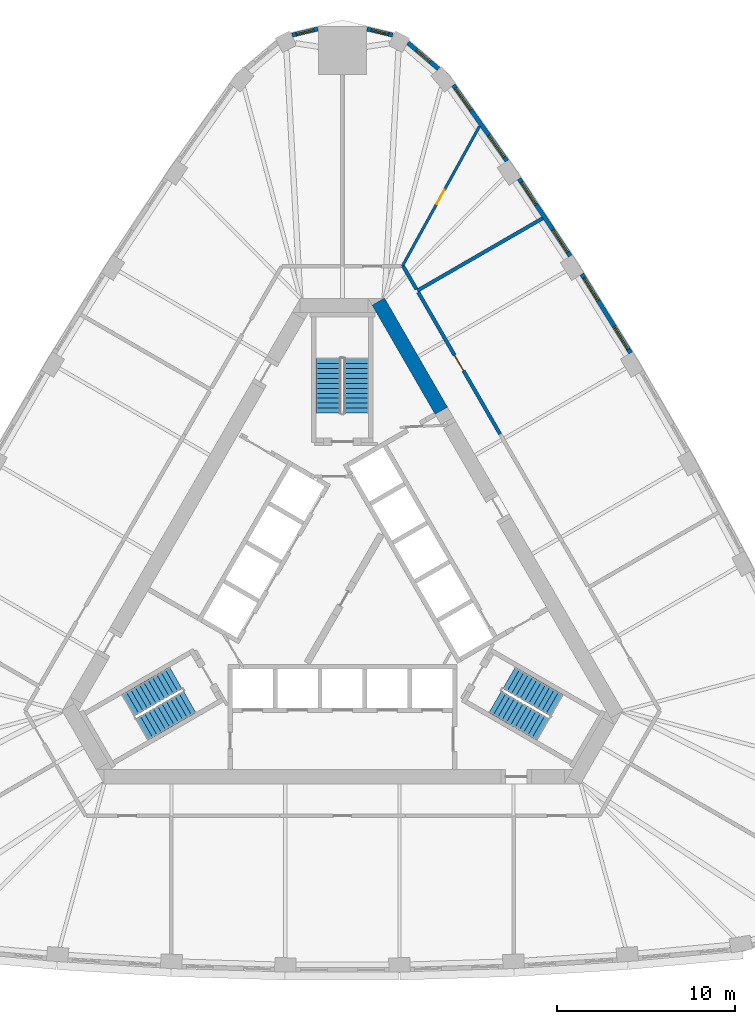
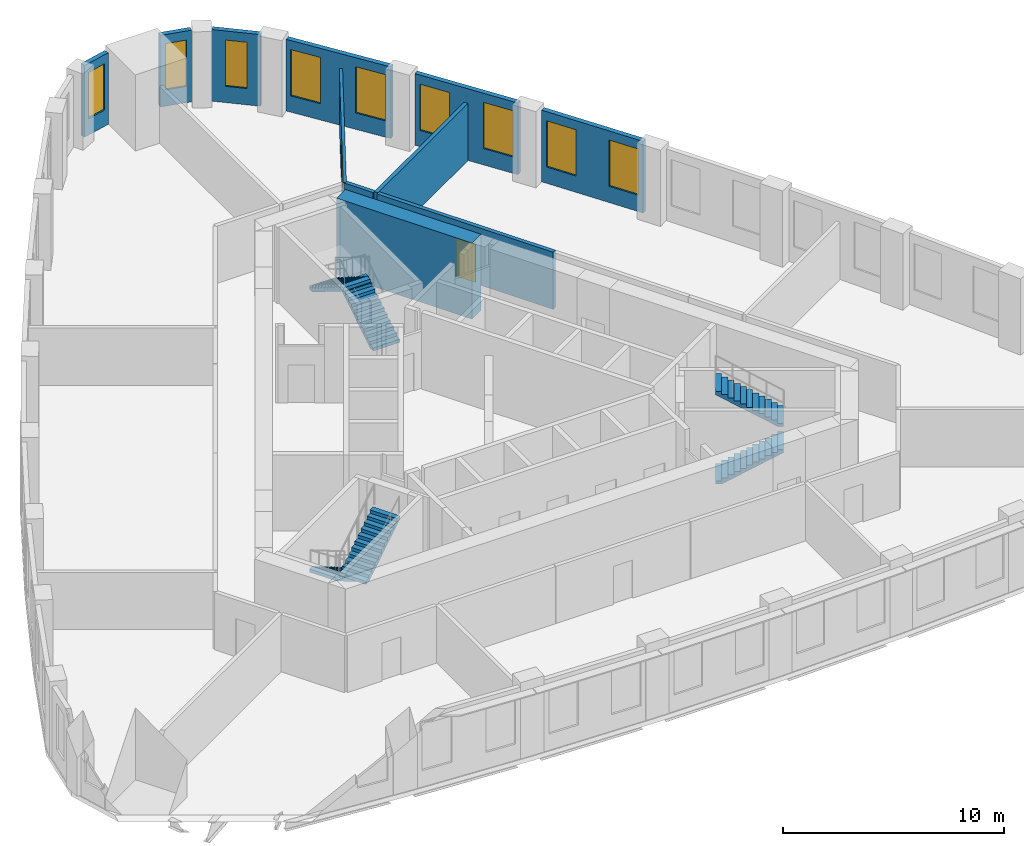
# One storey, part 8 of 9: 11 walls, 9 windows, 6 stair flights, 2 doors, 11 openings, 3 elements without a shape of their own.
"""IFC4 building model written with IfcOpenShell, lengths in metres."""

from ifc_helpers import new_model, si_unit, direction, frame, frame_2d, origin, place, context, subcontext, project, spatial, polyline, rectangle, outline, extrude, material, layer, layer_set, type_object, element, fill, aggregate, save


model = new_model("IFC4")

# Units and contexts
model_context = context("Model", 3, precision=1e-05, world=origin(), true_north=direction((0.0, 1.0)))
body_context = subcontext(model_context, "Body", "Model", "MODEL_VIEW")
ifc_project = project(units=[si_unit("LENGTHUNIT", "METRE"), si_unit("AREAUNIT", "SQUARE_METRE"), si_unit("VOLUMEUNIT", "CUBIC_METRE"), si_unit("PLANEANGLEUNIT", "RADIAN"), si_unit("MASSUNIT", "GRAM", prefix="KILO")], contexts=[model_context])

# Site, building, storey
site_placement = place(None, origin())
site = spatial("IfcSite", under=ifc_project, at=site_placement, CompositionType="ELEMENT")
building_placement = place(site_placement, origin())
building = spatial("IfcBuilding", under=site, at=building_placement, Name="Mestral Congress Tower", CompositionType="ELEMENT")
storey_placement = place(building_placement, frame((0.0, 0.0, 187.800048828125)))
storey = spatial("IfcBuildingStorey", under=building, at=storey_placement, Name="L44", CompositionType="ELEMENT", Elevation=187.800048828125)

# Wall
ifc_material_1 = material(Name="Concrete C60/75", Category="concrete")
ifc_layer_1 = layer(ifc_material_1, 0.800048828125)
ifc_layer_set_1 = layer_set([ifc_layer_1], Name="Concrete C60/75")
wall_type_1 = type_object("IfcWallType", Name="Core wall RC 800", PredefinedType="SOLIDWALL", material=ifc_layer_set_1)
wall_1_placement = place(storey_placement, frame((5.548828125, 10.4892578125, 0.0), z_axis=(0.0, 0.0, 1.0), x_axis=(-0.50001746176, 0.866015321998, 0.0)))
element("IfcWall", 1, at=wall_1_placement, inside=storey, type_object=wall_type_1, Name="L44 core wall", PredefinedType="SOLIDWALL", context=body_context, shape_type="SweptSolid", body=[
    extrude(rectangle(XDim=7.068115234375, YDim=0.800048828125, at=frame_2d((3.5341796875, 0.0))), origin(), (0.0, 0.0, 1.0), 4.199951171875),
])

# Wall, openings, windows
ifc_material_2 = material(Name="Precast concrete C40/50 with limestone facing", Category="masonry")
ifc_layer_2 = layer(ifc_material_2, 0.239990234375)
ifc_layer_set_2 = layer_set([ifc_layer_2], Name="Precast concrete C40/50 with limestone facing")
wall_type_2 = type_object("IfcWallType", Name="Facade stone wall 240", PredefinedType="SOLIDWALL", material=ifc_layer_set_2)
wall_2_placement = place(storey_placement, frame((16.170654296875, 13.731201171875, 0.0), z_axis=(0.0, 0.0, 1.0), x_axis=(-0.526197926587, 0.850362124072, 0.0)))
wall_2 = element("IfcWall", 2, at=wall_2_placement, inside=storey, type_object=wall_type_2, Name="Facade wall F1-04", PredefinedType="SOLIDWALL", context=body_context, shape_type="SweptSolid", body=[
    extrude(rectangle(XDim=5.203369140625, YDim=0.239990234375, at=frame_2d((2.6015625, 0.0))), origin(), (0.0, 0.0, 1.0), 3.949951171875),
])
opening_1_placement = place(wall_2_placement, frame((0.248291015625, 0.0, 0.89990234375)))
opening_1 = element("IfcOpeningElement", 3, at=opening_1_placement, cuts=wall_2, Name="Opening W4", PredefinedType="OPENING", context=body_context, shape_type="SweptSolid", body=[
    extrude(rectangle(XDim=1.5, YDim=2.550048828125, at=frame_2d((0.75, 1.27490234375))), frame((0.0, 0.1298828125, 0.0), z_axis=(0.0, -1.0, 0.0), x_axis=(1.0, 0.0, 0.0)), (0.0, 0.0, 1.0), 0.260009765625),
])
opening_2_placement = place(wall_2_placement, frame((3.455078125, 0.0, 0.89990234375)))
opening_2 = element("IfcOpeningElement", 4, at=opening_2_placement, cuts=wall_2, Name="Opening W4", PredefinedType="OPENING", context=body_context, shape_type="SweptSolid", body=[
    extrude(rectangle(XDim=1.5, YDim=2.550048828125, at=frame_2d((0.75, 1.27490234375))), frame((0.0, 0.1298828125, 0.0), z_axis=(0.0, -1.0, 0.0), x_axis=(1.0, 0.0, 0.0)), (0.0, 0.0, 1.0), 0.260009765625),
])
ifc_material_3 = material(Name="Clear low-emissivity double glazing", Category="glass")
window_type_1 = type_object("IfcWindowType", Name="Facade punched window 1500 x 2550 sill 900", PartitioningType="SINGLE_PANEL", PredefinedType="WINDOW", material=ifc_material_3)
window_1_placement = place(opening_1_placement, origin())
window_1 = element("IfcWindow", 5, at=window_1_placement, inside=storey, type_object=window_type_1, Name="Window F1-04a", OverallHeight=2.550048828125, OverallWidth=1.5, PartitioningType="SINGLE_PANEL", PredefinedType="WINDOW", context=body_context, shape_type="SweptSolid", body=[
    extrude(rectangle(XDim=1.5, YDim=2.550048828125, at=frame_2d((0.75, 1.27490234375))), frame((0.0, 0.0400390625, 0.0), z_axis=(0.0, -1.0, 0.0), x_axis=(1.0, 0.0, 0.0)), (0.0, 0.0, 1.0), 0.06005859375),
])
fill(opening_1, window_1)
window_2_placement = place(opening_2_placement, origin())
window_2 = element("IfcWindow", 6, at=window_2_placement, inside=storey, type_object=window_type_1, Name="Window F1-04b", OverallHeight=2.550048828125, OverallWidth=1.5, PartitioningType="SINGLE_PANEL", PredefinedType="WINDOW", context=body_context, shape_type="SweptSolid", body=[
    extrude(rectangle(XDim=1.5, YDim=2.550048828125, at=frame_2d((0.75, 1.27490234375))), frame((0.0, 0.0400390625, 0.0), z_axis=(0.0, -1.0, 0.0), x_axis=(1.0, 0.0, 0.0)), (0.0, 0.0, 1.0), 0.06005859375),
])
fill(opening_2, window_2)

wall_3_placement = place(storey_placement, frame((12.783203125, 19.170654296875, 0.0), z_axis=(0.0, 0.0, 1.0), x_axis=(-0.551892811511, 0.833915058386, 0.0)))
wall_3 = element("IfcWall", 7, at=wall_3_placement, inside=storey, type_object=wall_type_2, Name="Facade wall F1-05", PredefinedType="SOLIDWALL", context=body_context, shape_type="SweptSolid", body=[
    extrude(rectangle(XDim=5.20361328125, YDim=0.239990234375, at=frame_2d((2.601806640625, 0.0))), origin(), (0.0, 0.0, 1.0), 3.949951171875),
])
opening_3_placement = place(wall_3_placement, frame((0.248291015625, 0.0, 0.89990234375)))
opening_3 = element("IfcOpeningElement", 8, at=opening_3_placement, cuts=wall_3, Name="Opening W4", PredefinedType="OPENING", context=body_context, shape_type="SweptSolid", body=[
    extrude(rectangle(XDim=1.5, YDim=2.550048828125, at=frame_2d((0.75, 1.27490234375))), frame((0.0, 0.1298828125, 0.0), z_axis=(0.0, -1.0, 0.0), x_axis=(1.0, 0.0, 0.0)), (0.0, 0.0, 1.0), 0.260009765625),
])
opening_4_placement = place(wall_3_placement, frame((3.455078125, 0.0, 0.89990234375)))
opening_4 = element("IfcOpeningElement", 9, at=opening_4_placement, cuts=wall_3, Name="Opening W4", PredefinedType="OPENING", context=body_context, shape_type="SweptSolid", body=[
    extrude(rectangle(XDim=1.5, YDim=2.550048828125, at=frame_2d((0.75, 1.27490234375))), frame((0.0, 0.1298828125, 0.0), z_axis=(0.0, -1.0, 0.0), x_axis=(1.0, 0.0, 0.0)), (0.0, 0.0, 1.0), 0.260009765625),
])
window_3_placement = place(opening_3_placement, origin())
window_3 = element("IfcWindow", 10, at=window_3_placement, inside=storey, type_object=window_type_1, Name="Window F1-05a", OverallHeight=2.550048828125, OverallWidth=1.5, PartitioningType="SINGLE_PANEL", PredefinedType="WINDOW", context=body_context, shape_type="SweptSolid", body=[
    extrude(rectangle(XDim=1.5, YDim=2.550048828125, at=frame_2d((0.75, 1.27490234375))), frame((0.0, 0.0400390625, 0.0), z_axis=(0.0, -1.0, 0.0), x_axis=(1.0, 0.0, 0.0)), (0.0, 0.0, 1.0), 0.06005859375),
])
fill(opening_3, window_3)
window_4_placement = place(opening_4_placement, origin())
window_4 = element("IfcWindow", 11, at=window_4_placement, inside=storey, type_object=window_type_1, Name="Window F1-05b", OverallHeight=2.550048828125, OverallWidth=1.5, PartitioningType="SINGLE_PANEL", PredefinedType="WINDOW", context=body_context, shape_type="SweptSolid", body=[
    extrude(rectangle(XDim=1.5, YDim=2.550048828125, at=frame_2d((0.75, 1.27490234375))), frame((0.0, 0.0400390625, 0.0), z_axis=(0.0, -1.0, 0.0), x_axis=(1.0, 0.0, 0.0)), (0.0, 0.0, 1.0), 0.06005859375),
])
fill(opening_4, window_4)

wall_4_placement = place(storey_placement, frame((9.231201171875, 24.50439453125, 0.0), z_axis=(0.0, 0.0, 1.0), x_axis=(-0.577115207679, 0.816662743772, 0.0)))
wall_4 = element("IfcWall", 12, at=wall_4_placement, inside=storey, type_object=wall_type_2, Name="Facade wall F1-06", PredefinedType="SOLIDWALL", context=body_context, shape_type="SweptSolid", body=[
    extrude(rectangle(XDim=5.213134765625, YDim=0.239990234375, at=frame_2d((2.6064453125, 0.0))), origin(), (0.0, 0.0, 1.0), 3.949951171875),
])
opening_5_placement = place(wall_4_placement, frame((0.2607421875, 0.0, 0.89990234375)))
opening_5 = element("IfcOpeningElement", 13, at=opening_5_placement, cuts=wall_4, Name="Opening W4", PredefinedType="OPENING", context=body_context, shape_type="SweptSolid", body=[
    extrude(rectangle(XDim=1.5, YDim=2.550048828125, at=frame_2d((0.75, 1.27490234375))), frame((0.0, 0.1298828125, 0.0), z_axis=(0.0, -1.0, 0.0), x_axis=(1.0, 0.0, 0.0)), (0.0, 0.0, 1.0), 0.260009765625),
])
opening_6_placement = place(wall_4_placement, frame((3.492431640625, 0.0, 0.89990234375)))
opening_6 = element("IfcOpeningElement", 14, at=opening_6_placement, cuts=wall_4, Name="Opening W4", PredefinedType="OPENING", context=body_context, shape_type="SweptSolid", body=[
    extrude(rectangle(XDim=1.5, YDim=2.550048828125, at=frame_2d((0.75, 1.27490234375))), frame((0.0, 0.1298828125, 0.0), z_axis=(0.0, -1.0, 0.0), x_axis=(1.0, 0.0, 0.0)), (0.0, 0.0, 1.0), 0.260009765625),
])
window_5_placement = place(opening_5_placement, origin())
window_5 = element("IfcWindow", 15, at=window_5_placement, inside=storey, type_object=window_type_1, Name="Window F1-06a", OverallHeight=2.550048828125, OverallWidth=1.5, PartitioningType="SINGLE_PANEL", PredefinedType="WINDOW", context=body_context, shape_type="SweptSolid", body=[
    extrude(rectangle(XDim=1.5, YDim=2.550048828125, at=frame_2d((0.75, 1.27490234375))), frame((0.0, 0.0400390625, 0.0), z_axis=(0.0, -1.0, 0.0), x_axis=(1.0, 0.0, 0.0)), (0.0, 0.0, 1.0), 0.06005859375),
])
fill(opening_5, window_5)
window_6_placement = place(opening_6_placement, origin())
window_6 = element("IfcWindow", 16, at=window_6_placement, inside=storey, type_object=window_type_1, Name="Window F1-06b", OverallHeight=2.550048828125, OverallWidth=1.5, PartitioningType="SINGLE_PANEL", PredefinedType="WINDOW", context=body_context, shape_type="SweptSolid", body=[
    extrude(rectangle(XDim=1.5, YDim=2.550048828125, at=frame_2d((0.75, 1.27490234375))), frame((0.0, 0.0400390625, 0.0), z_axis=(0.0, -1.0, 0.0), x_axis=(1.0, 0.0, 0.0)), (0.0, 0.0, 1.0), 0.06005859375),
])
fill(opening_6, window_6)

# Wall, opening, window
wall_5_placement = place(storey_placement, frame((5.3916015625, 29.672119140625, 0.0), z_axis=(0.0, 0.0, 1.0), x_axis=(-0.761419744247, 0.648259186645, 0.0)))
wall_5 = element("IfcWall", 17, at=wall_5_placement, inside=storey, type_object=wall_type_2, Name="Facade wall K1-0", PredefinedType="SOLIDWALL", context=body_context, shape_type="SweptSolid", body=[
    extrude(rectangle(XDim=2.250244140625, YDim=0.239990234375, at=frame_2d((1.125, 0.0))), origin(), (0.0, 0.0, 1.0), 3.949951171875),
])
opening_7_placement = place(wall_5_placement, frame((0.625244140625, 0.0, 0.89990234375)))
opening_7 = element("IfcOpeningElement", 18, at=opening_7_placement, cuts=wall_5, Name="Opening W5", PredefinedType="OPENING", context=body_context, shape_type="SweptSolid", body=[
    extrude(rectangle(XDim=1.0, YDim=2.550048828125, at=frame_2d((0.5, 1.27490234375))), frame((0.0, 0.1298828125, 0.0), z_axis=(0.0, -1.0, 0.0), x_axis=(1.0, 0.0, 0.0)), (0.0, 0.0, 1.0), 0.260009765625),
])
window_type_2 = type_object("IfcWindowType", Name="Facade punched window 1000 x 2550 sill 900", PartitioningType="SINGLE_PANEL", PredefinedType="WINDOW", material=ifc_material_3)
window_7_placement = place(opening_7_placement, origin())
window_7 = element("IfcWindow", 19, at=window_7_placement, inside=storey, type_object=window_type_2, Name="Window K1-0", OverallHeight=2.550048828125, OverallWidth=1.0, PartitioningType="SINGLE_PANEL", PredefinedType="WINDOW", context=body_context, shape_type="SweptSolid", body=[
    extrude(rectangle(XDim=1.0, YDim=2.550048828125, at=frame_2d((0.5, 1.27490234375))), frame((0.0, 0.0400390625, 0.0), z_axis=(0.0, -1.0, 0.0), x_axis=(1.0, 0.0, 0.0)), (0.0, 0.0, 1.0), 0.06005859375),
])
fill(opening_7, window_7)

wall_6_placement = place(storey_placement, frame((2.821044921875, 31.56640625, 0.0), z_axis=(0.0, 0.0, 1.0), x_axis=(-0.972479955788, 0.232986556673, 0.0)))
wall_6 = element("IfcWall", 20, at=wall_6_placement, inside=storey, type_object=wall_type_2, Name="Facade wall K1-1", PredefinedType="SOLIDWALL", context=body_context, shape_type="SweptSolid", body=[
    extrude(rectangle(XDim=1.481689453125, YDim=0.239990234375, at=frame_2d((0.74072265625, 0.0))), origin(), (0.0, 0.0, 1.0), 3.949951171875),
])
opening_8_placement = place(wall_6_placement, frame((0.24072265625, 0.0, 0.89990234375)))
opening_8 = element("IfcOpeningElement", 21, at=opening_8_placement, cuts=wall_6, Name="Opening W5", PredefinedType="OPENING", context=body_context, shape_type="SweptSolid", body=[
    extrude(rectangle(XDim=1.0, YDim=2.550048828125, at=frame_2d((0.5, 1.27490234375))), frame((0.0, 0.1298828125, 0.0), z_axis=(0.0, -1.0, 0.0), x_axis=(1.0, 0.0, 0.0)), (0.0, 0.0, 1.0), 0.260009765625),
])
window_8_placement = place(opening_8_placement, origin())
window_8 = element("IfcWindow", 22, at=window_8_placement, inside=storey, type_object=window_type_2, Name="Window K1-1", OverallHeight=2.550048828125, OverallWidth=1.0, PartitioningType="SINGLE_PANEL", PredefinedType="WINDOW", context=body_context, shape_type="SweptSolid", body=[
    extrude(rectangle(XDim=1.0, YDim=2.550048828125, at=frame_2d((0.5, 1.27490234375))), frame((0.0, 0.0400390625, 0.0), z_axis=(0.0, -1.0, 0.0), x_axis=(1.0, 0.0, 0.0)), (0.0, 0.0, 1.0), 0.06005859375),
])
fill(opening_8, window_8)

wall_7_placement = place(storey_placement, frame((-1.380126953125, 31.91162109375, 0.0), z_axis=(0.0, 0.0, 1.0), x_axis=(-0.972479955788, -0.232986556673, 0.0)))
wall_7 = element("IfcWall", 23, at=wall_7_placement, inside=storey, type_object=wall_type_2, Name="Facade wall K1-2", PredefinedType="SOLIDWALL", context=body_context, shape_type="SweptSolid", body=[
    extrude(rectangle(XDim=1.481689453125, YDim=0.239990234375, at=frame_2d((0.74072265625, 0.0))), origin(), (0.0, 0.0, 1.0), 3.949951171875),
])
opening_9_placement = place(wall_7_placement, frame((0.24072265625, 0.0, 0.89990234375)))
opening_9 = element("IfcOpeningElement", 24, at=opening_9_placement, cuts=wall_7, Name="Opening W5", PredefinedType="OPENING", context=body_context, shape_type="SweptSolid", body=[
    extrude(rectangle(XDim=1.0, YDim=2.550048828125, at=frame_2d((0.5, 1.27490234375))), frame((0.0, 0.1298828125, 0.0), z_axis=(0.0, -1.0, 0.0), x_axis=(1.0, 0.0, 0.0)), (0.0, 0.0, 1.0), 0.260009765625),
])
window_9_placement = place(opening_9_placement, origin())
window_9 = element("IfcWindow", 25, at=window_9_placement, inside=storey, type_object=window_type_2, Name="Window K1-2", OverallHeight=2.550048828125, OverallWidth=1.0, PartitioningType="SINGLE_PANEL", PredefinedType="WINDOW", context=body_context, shape_type="SweptSolid", body=[
    extrude(rectangle(XDim=1.0, YDim=2.550048828125, at=frame_2d((0.5, 1.27490234375))), frame((0.0, 0.0400390625, 0.0), z_axis=(0.0, -1.0, 0.0), x_axis=(1.0, 0.0, 0.0)), (0.0, 0.0, 1.0), 0.06005859375),
])
fill(opening_9, window_9)

# Wall, opening, door
ifc_material_4 = material(Name="Plasterboard partition on steel studs", Category="steel")
ifc_layer_3 = layer(ifc_material_4, 0.14990234375)
ifc_layer_set_3 = layer_set([ifc_layer_3], Name="Plasterboard partition on steel studs")
wall_type_3 = type_object("IfcWallType", Name="Office partition 150", PredefinedType="PARTITIONING", material=ifc_layer_set_3)
wall_8_placement = place(storey_placement, frame((7.698486328125, 26.465087890625, 0.0), z_axis=(0.0, 0.0, 1.0), x_axis=(-0.482998301798, -0.875621288263, 0.0)))
wall_8 = element("IfcWall", 26, at=wall_8_placement, inside=storey, type_object=wall_type_3, Name="Partition", PredefinedType="PARTITIONING", context=body_context, shape_type="SweptSolid", body=[
    extrude(rectangle(XDim=8.982177734375, YDim=0.14990234375, at=frame_2d((4.4912109375, 0.0))), origin(), (0.0, 0.0, 1.0), 3.14990234375),
])
opening_10_placement = place(wall_8_placement, frame((4.08251953125, 0.0, 0.0)))
opening_10 = element("IfcOpeningElement", 27, at=opening_10_placement, cuts=wall_8, Name="Opening O04-005", PredefinedType="OPENING", context=body_context, shape_type="SweptSolid", body=[
    extrude(rectangle(XDim=0.89990234375, YDim=2.10009765625, at=frame_2d((0.449951171875, 1.050048828125))), frame((0.0, 0.0849609375, 0.0), z_axis=(0.0, -1.0, 0.0), x_axis=(1.0, 0.0, 0.0)), (0.0, 0.0, 1.0), 0.169921875),
])
ifc_material_5 = material(Name="Timber door set", Category="wood")
door_type_1 = type_object("IfcDoorType", Name="Office door 900x2100", OperationType="SINGLE_SWING_LEFT", PredefinedType="DOOR", material=ifc_material_5)
door_1_placement = place(opening_10_placement, origin())
door_1 = element("IfcDoor", 28, at=door_1_placement, inside=storey, type_object=door_type_1, Name="Door O04-005", OperationType="SINGLE_SWING_RIGHT", OverallHeight=2.10009765625, OverallWidth=0.89990234375, PredefinedType="DOOR", context=body_context, shape_type="SweptSolid", body=[
    extrude(rectangle(XDim=0.89990234375, YDim=2.10009765625, at=frame_2d((0.449951171875, 1.050048828125))), frame((0.0, 0.02490234375, 0.0), z_axis=(0.0, -1.0, 0.0), x_axis=(1.0, 0.0, 0.0)), (0.0, 0.0, 1.0), 0.050048828125),
])
fill(opening_10, door_1)

# Wall
ifc_material_6 = material(Name="Dense masonry wall, plastered", Category="masonry")
ifc_layer_4 = layer(ifc_material_6, 0.199951171875)
ifc_layer_set_4 = layer_set([ifc_layer_4], Name="Dense masonry wall, plastered")
wall_type_4 = type_object("IfcWallType", Name="Office tenancy wall 200", PredefinedType="PARTITIONING", material=ifc_layer_set_4)
wall_9_placement = place(storey_placement, frame((4.19970703125, 17.2255859375, 0.0), z_axis=(0.0, 0.0, 1.0), x_axis=(0.866021486214, 0.500006785369, 0.0)))
element("IfcWall", 29, at=wall_9_placement, inside=storey, type_object=wall_type_4, Name="Tenancy wall", PredefinedType="PARTITIONING", context=body_context, shape_type="SweptSolid", body=[
    extrude(rectangle(XDim=8.12646484375, YDim=0.199951171875, at=frame_2d((4.063232421875, 0.0))), origin(), (0.0, 0.0, 1.0), 3.14990234375),
])

# Wall, opening, door
wall_10_placement = place(storey_placement, frame((8.84375, 9.18212890625, 0.0), z_axis=(0.0, 0.0, 1.0), x_axis=(-0.50000000053, 0.866025403479, 0.0)))
wall_10 = element("IfcWall", 30, at=wall_10_placement, inside=storey, type_object=wall_type_4, Name="Tenancy wall", PredefinedType="PARTITIONING", context=body_context, shape_type="SweptSolid", body=[
    extrude(rectangle(XDim=9.18798828125, YDim=0.199951171875, at=frame_2d((4.593994140625, 0.0))), origin(), (0.0, 0.0, 1.0), 3.14990234375),
])
opening_11_placement = place(wall_10_placement, frame((4.10009765625, 0.0, 0.0)))
opening_11 = element("IfcOpeningElement", 31, at=opening_11_placement, cuts=wall_10, Name="Opening O04-004", PredefinedType="OPENING", context=body_context, shape_type="SweptSolid", body=[
    extrude(rectangle(XDim=1.0, YDim=2.10009765625, at=frame_2d((0.5, 1.050048828125))), frame((0.0, 0.10986328125, 0.0), z_axis=(0.0, -1.0, 0.0), x_axis=(1.0, 0.0, 0.0)), (0.0, 0.0, 1.0), 0.219970703125),
])
ifc_material_7 = material(Name="Fire-rated timber door set", Category="wood")
door_type_2 = type_object("IfcDoorType", Name="Office tenancy entrance door 1000x2100", OperationType="SINGLE_SWING_LEFT", PredefinedType="DOOR", material=ifc_material_7)
door_2_placement = place(opening_11_placement, origin())
door_2 = element("IfcDoor", 32, at=door_2_placement, inside=storey, type_object=door_type_2, Name="Door O04-004", OperationType="SINGLE_SWING_RIGHT", OverallHeight=2.10009765625, OverallWidth=1.0, PredefinedType="DOOR", context=body_context, shape_type="SweptSolid", body=[
    extrude(rectangle(XDim=1.0, YDim=2.10009765625, at=frame_2d((0.5, 1.050048828125))), frame((0.0, 0.02490234375, 0.0), z_axis=(0.0, -1.0, 0.0), x_axis=(1.0, 0.0, 0.0)), (0.0, 0.0, 1.0), 0.050048828125),
])
fill(opening_11, door_2)

# Wall
wall_11_placement = place(storey_placement, frame((4.14990234375, 17.312255859375, 0.0), z_axis=(0.0, 0.0, 1.0), x_axis=(-0.499935638681, 0.86606255962, 0.0)))
element("IfcWall", 33, at=wall_11_placement, inside=storey, type_object=wall_type_4, Name="Tenancy wall", PredefinedType="PARTITIONING", context=body_context, shape_type="SweptSolid", body=[
    extrude(rectangle(XDim=1.487060546875, YDim=0.199951171875, at=frame_2d((0.74365234375, 0.0))), origin(), (0.0, 0.0, 1.0), 3.14990234375),
])

# Stair, stair flights
stair_type = type_object("IfcStairType", Name="Exit stair 1400", PredefinedType="HALF_TURN_STAIR", material=ifc_material_1)
placement = place(storey_placement, origin())
stair_1 = element("IfcStair", 34, at=placement, inside=storey, type_object=stair_type, Name="L44 ST1", PredefinedType="HALF_TURN_STAIR")
stair_flight_type = type_object("IfcStairFlightType", Name="Exit stair flight 1400", PredefinedType="STRAIGHT", material=ifc_material_1)
stair_flight_1_placement = place(storey_placement, frame((8.575927734375, -5.84619140625, 0.0), z_axis=(0.0, 0.0, 1.0), x_axis=(0.866025403784, -0.5, 0.0)))
stair_flight_1 = element("IfcStairFlight", 35, at=stair_flight_1_placement, type_object=stair_flight_type, Name="ST1 flight 1", NumberOfRisers=12, NumberOfTreads=11, PredefinedType="STRAIGHT", RiserHeight=0.175, TreadLength=0.28, context=body_context, shape_type="SweptSolid", body=[
    extrude(outline(polyline([(0.0, 0.0), (0.0, 0.175048828125), (0.280029296875, 0.175048828125), (0.280029296875, 0.35009765625), (0.56005859375, 0.35009765625), (0.56005859375, 0.52490234375), (0.840087890625, 0.52490234375), (0.840087890625, 0.699951171875), (1.1201171875, 0.699951171875), (1.1201171875, 0.875), (1.39990234375, 0.875), (1.39990234375, 1.050048828125), (1.679931640625, 1.050048828125), (1.679931640625, 1.22509765625), (1.9599609375, 1.22509765625), (1.9599609375, 1.39990234375), (2.239990234375, 1.39990234375), (2.239990234375, 1.574951171875), (2.52001953125, 1.574951171875), (2.52001953125, 1.75), (2.800048828125, 1.75), (2.800048828125, 1.925048828125), (3.080078125, 1.925048828125), (3.080078125, 2.10009765625), (3.080078125, 1.748291015625), (0.28271484375, 0.0), (0.0, 0.0)])), frame((0.0, 0.699951171875, 0.0), z_axis=(0.0, -1.0, 0.0), x_axis=(1.0, 0.0, 0.0)), (0.0, 0.0, 1.0), 1.39990234375),
])
stair_flight_2_placement = place(storey_placement, frame((12.018310546875, -6.0439453125, 2.099853515625), z_axis=(0.0, 0.0, 1.0), x_axis=(-0.866025403784, 0.5, 0.0)))
stair_flight_2 = element("IfcStairFlight", 36, at=stair_flight_2_placement, type_object=stair_flight_type, Name="ST1 flight 2", NumberOfRisers=12, NumberOfTreads=11, PredefinedType="STRAIGHT", RiserHeight=0.175, TreadLength=0.28, context=body_context, shape_type="SweptSolid", body=[
    extrude(outline(polyline([(0.0, 0.0), (0.0, 0.175048828125), (0.280029296875, 0.175048828125), (0.280029296875, 0.35009765625), (0.56005859375, 0.35009765625), (0.56005859375, 0.52490234375), (0.840087890625, 0.52490234375), (0.840087890625, 0.699951171875), (1.1201171875, 0.699951171875), (1.1201171875, 0.875), (1.39990234375, 0.875), (1.39990234375, 1.050048828125), (1.679931640625, 1.050048828125), (1.679931640625, 1.22509765625), (1.9599609375, 1.22509765625), (1.9599609375, 1.39990234375), (2.239990234375, 1.39990234375), (2.239990234375, 1.574951171875), (2.52001953125, 1.574951171875), (2.52001953125, 1.75), (2.800048828125, 1.75), (2.800048828125, 1.925048828125), (3.080078125, 1.925048828125), (3.080078125, 2.10009765625), (3.080078125, 1.748291015625), (0.28271484375, 0.0), (0.0, 0.0)])), frame((0.0, 0.699951171875, 0.0), z_axis=(0.0, -1.0, 0.0), x_axis=(1.0, 0.0, 0.0)), (0.0, 0.0, 1.0), 1.39990234375),
])
aggregate(stair_1, [stair_flight_1, stair_flight_2])

stair_2 = element("IfcStair", 37, at=placement, inside=storey, type_object=stair_type, Name="L44 ST2", PredefinedType="HALF_TURN_STAIR")
stair_flight_3_placement = place(storey_placement, frame((0.77490234375, 10.35009765625, 0.0), z_axis=(0.0, 0.0, 1.0), x_axis=(0.0, 1.0, 0.0)))
stair_flight_3 = element("IfcStairFlight", 38, at=stair_flight_3_placement, type_object=stair_flight_type, Name="ST2 flight 1", NumberOfRisers=12, NumberOfTreads=11, PredefinedType="STRAIGHT", RiserHeight=0.175, TreadLength=0.28, context=body_context, shape_type="SweptSolid", body=[
    extrude(outline(polyline([(0.0, 0.0), (0.0, 0.175048828125), (0.280029296875, 0.175048828125), (0.280029296875, 0.35009765625), (0.56005859375, 0.35009765625), (0.56005859375, 0.52490234375), (0.840087890625, 0.52490234375), (0.840087890625, 0.699951171875), (1.1201171875, 0.699951171875), (1.1201171875, 0.875), (1.39990234375, 0.875), (1.39990234375, 1.050048828125), (1.679931640625, 1.050048828125), (1.679931640625, 1.22509765625), (1.9599609375, 1.22509765625), (1.9599609375, 1.39990234375), (2.239990234375, 1.39990234375), (2.239990234375, 1.574951171875), (2.52001953125, 1.574951171875), (2.52001953125, 1.75), (2.800048828125, 1.75), (2.800048828125, 1.925048828125), (3.080078125, 1.925048828125), (3.080078125, 2.10009765625), (3.080078125, 1.748291015625), (0.28271484375, 0.0), (0.0, 0.0)])), frame((0.0, 0.699951171875, 0.0), z_axis=(0.0, -1.0, 0.0), x_axis=(1.0, 0.0, 0.0)), (0.0, 0.0, 1.0), 1.39990234375),
])
stair_flight_4_placement = place(storey_placement, frame((-0.77490234375, 13.429931640625, 2.099853515625), z_axis=(0.0, 0.0, 1.0), x_axis=(0.0, -1.0, 0.0)))
stair_flight_4 = element("IfcStairFlight", 39, at=stair_flight_4_placement, type_object=stair_flight_type, Name="ST2 flight 2", NumberOfRisers=12, NumberOfTreads=11, PredefinedType="STRAIGHT", RiserHeight=0.175, TreadLength=0.28, context=body_context, shape_type="SweptSolid", body=[
    extrude(outline(polyline([(0.0, 0.0), (0.0, 0.175048828125), (0.280029296875, 0.175048828125), (0.280029296875, 0.35009765625), (0.56005859375, 0.35009765625), (0.56005859375, 0.52490234375), (0.840087890625, 0.52490234375), (0.840087890625, 0.699951171875), (1.1201171875, 0.699951171875), (1.1201171875, 0.875), (1.39990234375, 0.875), (1.39990234375, 1.050048828125), (1.679931640625, 1.050048828125), (1.679931640625, 1.22509765625), (1.9599609375, 1.22509765625), (1.9599609375, 1.39990234375), (2.239990234375, 1.39990234375), (2.239990234375, 1.574951171875), (2.52001953125, 1.574951171875), (2.52001953125, 1.75), (2.800048828125, 1.75), (2.800048828125, 1.925048828125), (3.080078125, 1.925048828125), (3.080078125, 2.10009765625), (3.080078125, 1.748291015625), (0.28271484375, 0.0), (0.0, 0.0)])), frame((0.0, 0.699951171875, 0.0), z_axis=(0.0, -1.0, 0.0), x_axis=(1.0, 0.0, 0.0)), (0.0, 0.0, 1.0), 1.39990234375),
])
aggregate(stair_2, [stair_flight_3, stair_flight_4])

stair_3 = element("IfcStair", 40, at=placement, inside=storey, type_object=stair_type, Name="L44 ST3", PredefinedType="HALF_TURN_STAIR")
stair_flight_5_placement = place(storey_placement, frame((-9.350830078125, -4.50390625, 0.0), z_axis=(0.0, 0.0, 1.0), x_axis=(-0.866025403784, -0.5, 0.0)))
stair_flight_5 = element("IfcStairFlight", 41, at=stair_flight_5_placement, type_object=stair_flight_type, Name="ST3 flight 1", NumberOfRisers=12, NumberOfTreads=11, PredefinedType="STRAIGHT", RiserHeight=0.175, TreadLength=0.28, context=body_context, shape_type="SweptSolid", body=[
    extrude(outline(polyline([(0.0, 0.0), (0.0, 0.175048828125), (0.280029296875, 0.175048828125), (0.280029296875, 0.35009765625), (0.56005859375, 0.35009765625), (0.56005859375, 0.52490234375), (0.840087890625, 0.52490234375), (0.840087890625, 0.699951171875), (1.1201171875, 0.699951171875), (1.1201171875, 0.875), (1.39990234375, 0.875), (1.39990234375, 1.050048828125), (1.679931640625, 1.050048828125), (1.679931640625, 1.22509765625), (1.9599609375, 1.22509765625), (1.9599609375, 1.39990234375), (2.239990234375, 1.39990234375), (2.239990234375, 1.574951171875), (2.52001953125, 1.574951171875), (2.52001953125, 1.75), (2.800048828125, 1.75), (2.800048828125, 1.925048828125), (3.080078125, 1.925048828125), (3.080078125, 2.10009765625), (3.080078125, 1.748291015625), (0.28271484375, 0.0), (0.0, 0.0)])), frame((0.0, 0.699951171875, 0.0), z_axis=(0.0, -1.0, 0.0), x_axis=(1.0, 0.0, 0.0)), (0.0, 0.0, 1.0), 1.39990234375),
])
stair_flight_6_placement = place(storey_placement, frame((-11.2431640625, -7.38623046875, 2.099853515625), z_axis=(0.0, 0.0, 1.0), x_axis=(0.866025403784, 0.5, 0.0)))
stair_flight_6 = element("IfcStairFlight", 42, at=stair_flight_6_placement, type_object=stair_flight_type, Name="ST3 flight 2", NumberOfRisers=12, NumberOfTreads=11, PredefinedType="STRAIGHT", RiserHeight=0.175, TreadLength=0.28, context=body_context, shape_type="SweptSolid", body=[
    extrude(outline(polyline([(0.0, 0.0), (0.0, 0.175048828125), (0.280029296875, 0.175048828125), (0.280029296875, 0.35009765625), (0.56005859375, 0.35009765625), (0.56005859375, 0.52490234375), (0.840087890625, 0.52490234375), (0.840087890625, 0.699951171875), (1.1201171875, 0.699951171875), (1.1201171875, 0.875), (1.39990234375, 0.875), (1.39990234375, 1.050048828125), (1.679931640625, 1.050048828125), (1.679931640625, 1.22509765625), (1.9599609375, 1.22509765625), (1.9599609375, 1.39990234375), (2.239990234375, 1.39990234375), (2.239990234375, 1.574951171875), (2.52001953125, 1.574951171875), (2.52001953125, 1.75), (2.800048828125, 1.75), (2.800048828125, 1.925048828125), (3.080078125, 1.925048828125), (3.080078125, 2.10009765625), (3.080078125, 1.748291015625), (0.28271484375, 0.0), (0.0, 0.0)])), frame((0.0, 0.699951171875, 0.0), z_axis=(0.0, -1.0, 0.0), x_axis=(1.0, 0.0, 0.0)), (0.0, 0.0, 1.0), 1.39990234375),
])
aggregate(stair_3, [stair_flight_5, stair_flight_6])

save(model, "model.ifc")
